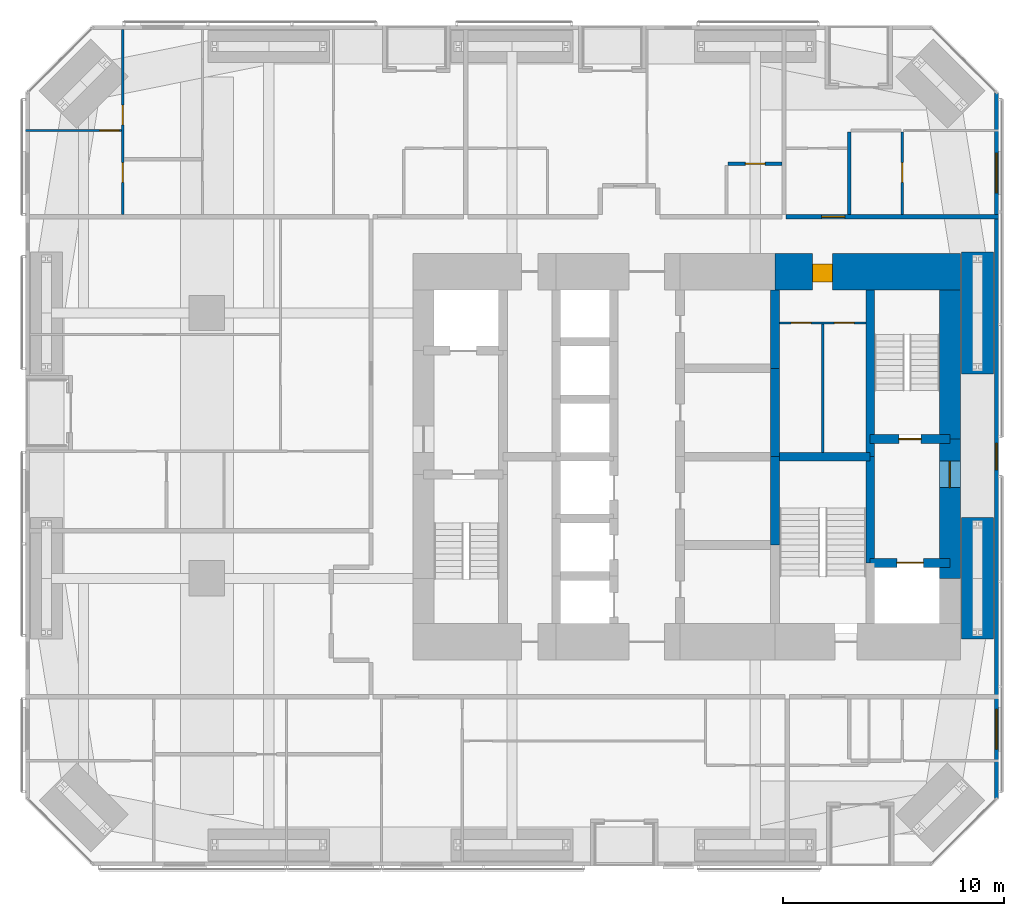
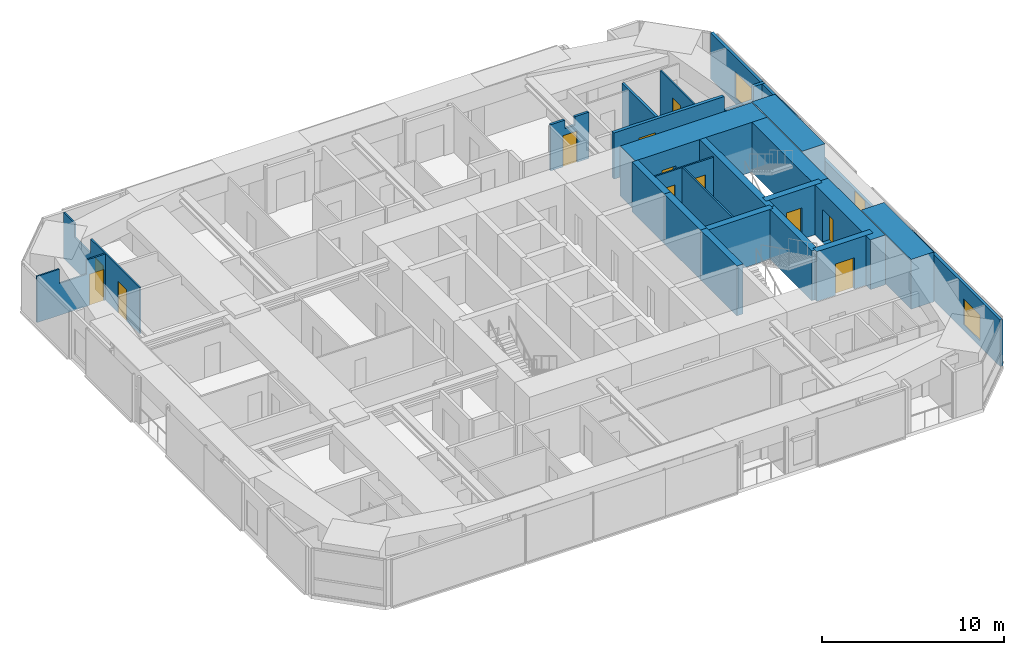
# One storey, part 21 of 24: 22 walls, 12 doors, 3 windows, 15 openings.
"""IFC4 building model written with IfcOpenShell, lengths in metres."""

from ifc_helpers import new_model, si_unit, direction, frame, frame_2d, origin, place, context, subcontext, project, spatial, polyline, rectangle, outline, extrude, material, layer, layer_set, constituent, constituent_set, type_object, element, fill, save


model = new_model("IFC4")

# Units and contexts
model_context = context("Model", 3, precision=1e-05, world=origin(), true_north=direction((0.0, 1.0)))
body_context = subcontext(model_context, "Body", "Model", "MODEL_VIEW")
ifc_project = project(units=[si_unit("LENGTHUNIT", "METRE"), si_unit("AREAUNIT", "SQUARE_METRE"), si_unit("VOLUMEUNIT", "CUBIC_METRE"), si_unit("PLANEANGLEUNIT", "RADIAN"), si_unit("MASSUNIT", "GRAM", prefix="KILO")], contexts=[model_context])

# Site, building, storey
site_placement = place(None, origin())
site = spatial("IfcSite", under=ifc_project, at=site_placement, CompositionType="ELEMENT")
building_placement = place(site_placement, origin())
building = spatial("IfcBuilding", under=site, at=building_placement, Name="Jalousie Tower", CompositionType="ELEMENT")
storey_placement = place(building_placement, frame((0.0, 0.0, 51.14990234375)))
storey = spatial("IfcBuildingStorey", under=building, at=storey_placement, Name="L13", CompositionType="ELEMENT", Elevation=51.14990234375)

# Wall, opening, door
ifc_material_1 = material(Name="Concrete block ASTM C90", Category="concrete")
ifc_constituent_1 = constituent(ifc_material_1, Name="Body")
ifc_material_2 = material(Name="Render")
ifc_constituent_2 = constituent(ifc_material_2, Name="Finish")
ifc_constituent_set_1 = constituent_set(constituents=[ifc_constituent_1, ifc_constituent_2])
wall_type_1 = type_object("IfcWallType", Name="BATHROOM WALL 150", PredefinedType="PLUMBINGWALL", material=ifc_constituent_set_1)
wall_1_placement = place(storey_placement, frame((33.77490234375, 31.75, 0.0), z_axis=(0.0, 0.0, 1.0), x_axis=(1.0, 0.0, 0.0)))
wall_1 = element("IfcWall", 1, at=wall_1_placement, inside=storey, type_object=wall_type_1, Name="Bathroom Wall 150 L13", PredefinedType="PLUMBINGWALL", context=body_context, shape_type="SweptSolid", body=[
    extrude(outline(polyline([(0.0, 0.0), (2.425048828125, 0.0), (2.425048828125, 3.110107421875), (1.537353515625, 3.110107421875), (1.537353515625, 2.541015625), (0.91259765625, 2.541015625), (0.91259765625, 3.110107421875), (0.0, 3.110107421875), (0.0, 0.0)])), frame((0.0, 0.074951171875, 0.0), z_axis=(0.0, -1.0, 0.0), x_axis=(1.0, 0.0, 0.0)), (0.0, 0.0, 1.0), 0.14990234375),
])
opening_1_placement = place(wall_1_placement, frame((0.77490234375, 0.0, 0.0)))
opening_1 = element("IfcOpeningElement", 2, at=opening_1_placement, cuts=wall_1, Name="Opening D3", PredefinedType="OPENING", context=body_context, shape_type="SweptSolid", body=[
    extrude(rectangle(XDim=0.89990234375, YDim=2.10009765625, at=frame_2d((0.449951171875, 1.050048828125))), frame((0.0, 0.0849609375, 0.0), z_axis=(0.0, -1.0, 0.0), x_axis=(1.0, 0.0, 0.0)), (0.0, 0.0, 1.0), 0.169921875),
])
ifc_material_3 = material(Name="Timber door", Category="wood")
door_type_1 = type_object("IfcDoorType", Name="BATHROOM DOOR 900", OperationType="SINGLE_SWING_LEFT", PredefinedType="DOOR", material=ifc_material_3)
door_1_placement = place(opening_1_placement, frame((0.89990234375, 0.0, 0.0), z_axis=(0.0, 0.0, 1.0), x_axis=(-1.0, 0.0, 0.0)))
door_1 = element("IfcDoor", 3, at=door_1_placement, inside=storey, type_object=door_type_1, Name="Apartment 1304 bathroom door", OperationType="SINGLE_SWING_LEFT", OverallHeight=2.10009765625, OverallWidth=0.89990234375, PredefinedType="DOOR", context=body_context, shape_type="SweptSolid", body=[
    extrude(rectangle(XDim=0.89990234375, YDim=2.10009765625, at=frame_2d((0.449951171875, 1.050048828125))), frame((0.0, 0.02490234375, 0.0), z_axis=(0.0, -1.0, 0.0), x_axis=(1.0, 0.0, 0.0)), (0.0, 0.0, 1.0), 0.050048828125),
])
fill(opening_1, door_1)

# Wall
wall_2_placement = place(storey_placement, frame((39.25, 33.17822265625, 0.0), z_axis=(0.0, 0.0, 1.0), x_axis=(0.0, -1.0, 0.0)))
element("IfcWall", 4, at=wall_2_placement, inside=storey, type_object=wall_type_1, Name="Bathroom Wall 150 L13", PredefinedType="PLUMBINGWALL", context=body_context, shape_type="SweptSolid", body=[
    extrude(rectangle(XDim=3.728271484375, YDim=0.14990234375, at=frame_2d((1.8642578125, 0.0))), origin(), (0.0, 0.0, 1.0), 3.110107421875),
])

# Wall, opening, door
ifc_material_4 = material(Name="Concrete f'c 120 MPa", Category="concrete")
ifc_layer_1 = layer(ifc_material_4, 1.64990234375)
ifc_layer_set_1 = layer_set([ifc_layer_1], Name="Concrete f'c 120 MPa")
wall_type_2 = type_object("IfcWallType", Name="CORE WALL 1650", PredefinedType="SHEAR", material=ifc_layer_set_1)
wall_3_placement = place(storey_placement, frame((44.27490234375, 26.875, 0.0), z_axis=(0.0, 0.0, 1.0), x_axis=(-1.0, 0.0, 0.0)))
wall_3 = element("IfcWall", 5, at=wall_3_placement, inside=storey, type_object=wall_type_2, Name="Core wall NA L13", PredefinedType="SHEAR", context=body_context, shape_type="SweptSolid", body=[
    extrude(rectangle(XDim=8.375, YDim=1.64990234375, at=frame_2d((4.1875, 0.0))), origin(), (0.0, 0.0, 1.0), 3.35009765625),
])
opening_2_placement = place(wall_3_placement, frame((5.77490234375, 0.0, 0.0)))
opening_2 = element("IfcOpeningElement", 6, at=opening_2_placement, cuts=wall_3, Name="Opening D25", PredefinedType="OPENING", context=body_context, shape_type="SweptSolid", body=[
    extrude(rectangle(XDim=0.89990234375, YDim=2.10009765625, at=frame_2d((0.449951171875, 1.050048828125))), frame((0.0, 0.8349609375, 0.0), z_axis=(0.0, -1.0, 0.0), x_axis=(1.0, 0.0, 0.0)), (0.0, 0.0, 1.0), 1.669921875),
])
ifc_material_5 = material(Name="Steel fire door", Category="steel")
door_type_2 = type_object("IfcDoorType", Name="SERVICE LOBBY DOOR 900", OperationType="SINGLE_SWING_LEFT", PredefinedType="DOOR", material=ifc_material_5)
door_2_placement = place(opening_2_placement, origin())
door_2 = element("IfcDoor", 7, at=door_2_placement, inside=storey, type_object=door_type_2, Name="Service lobby door", OperationType="SINGLE_SWING_RIGHT", OverallHeight=2.10009765625, OverallWidth=0.89990234375, PredefinedType="DOOR", context=body_context, shape_type="SweptSolid", body=[
    extrude(rectangle(XDim=0.89990234375, YDim=2.10009765625, at=frame_2d((0.449951171875, 1.050048828125))), frame((0.0, 0.47021484375, 0.0), z_axis=(0.0, -1.0, 0.0), x_axis=(1.0, 0.0, 0.0)), (0.0, 0.0, 1.0), 0.800048828125),
])
fill(opening_2, door_2)

# Walls
ifc_material_6 = material(Name="Concrete f'c 120 MPa", Category="concrete")
ifc_layer_2 = layer(ifc_material_6, 0.39990234375)
ifc_layer_set_2 = layer_set([ifc_layer_2], Name="Concrete f'c 120 MPa")
wall_type_3 = type_object("IfcWallType", Name="CORE WALL 400", PredefinedType="SHEAR", material=ifc_layer_set_2)
for number, where, z_axis, x_axis, name in (
    (8, (35.89990234375, 14.5, 0.0), (0.0, 0.0, 1.0), (0.0, 1.0, 0.0), "Core wall X35.9B L13"),
    (9, (35.89990234375, 18.5, 0.0), (0.0, 0.0, 1.0), (0.0, 1.0, 0.0), "Core wall X35.9C L13"),
):
    element("IfcWall", number, at=place(storey_placement, frame(where, z_axis=z_axis, x_axis=x_axis)), inside=storey, type_object=wall_type_3, Name=name, PredefinedType="SHEAR", context=body_context, shape_type="SweptSolid", body=[
        extrude(rectangle(XDim=4.0, YDim=0.39990234375, at=frame_2d((2.0, 0.0))), origin(), (0.0, 0.0, 1.0), 3.35009765625),
    ])
wall_4_placement = place(storey_placement, frame((35.89990234375, 22.5, 0.0), z_axis=(0.0, 0.0, 1.0), x_axis=(0.0, 1.0, 0.0)))
element("IfcWall", 10, at=wall_4_placement, inside=storey, type_object=wall_type_3, Name="Core wall X35.9D L13", PredefinedType="SHEAR", context=body_context, shape_type="SweptSolid", body=[
    extrude(rectangle(XDim=3.550048828125, YDim=0.39990234375, at=frame_2d((1.77490234375, 0.0))), origin(), (0.0, 0.0, 1.0), 3.35009765625),
])
wall_5_placement = place(storey_placement, frame((40.199951171875, 13.699951171875, 0.0), z_axis=(0.0, 0.0, 1.0), x_axis=(0.0, 1.0, 0.0)))
element("IfcWall", 11, at=wall_5_placement, inside=storey, type_object=wall_type_3, Name="Core wall X40.2B L13", PredefinedType="SHEAR", context=body_context, shape_type="SweptSolid", body=[
    extrude(rectangle(XDim=4.800048828125, YDim=0.39990234375, at=frame_2d((2.39990234375, 0.0))), origin(), (0.0, 0.0, 1.0), 3.35009765625),
])
wall_6_placement = place(storey_placement, frame((40.199951171875, 18.5, 0.0), z_axis=(0.0, 0.0, 1.0), x_axis=(0.0, 1.0, 0.0)))
element("IfcWall", 12, at=wall_6_placement, inside=storey, type_object=wall_type_3, Name="Core wall X40.2C L13", PredefinedType="SHEAR", context=body_context, shape_type="SweptSolid", body=[
    extrude(rectangle(XDim=7.550048828125, YDim=0.39990234375, at=frame_2d((3.77490234375, 0.0))), origin(), (0.0, 0.0, 1.0), 3.35009765625),
])
wall_7_placement = place(storey_placement, frame((35.89990234375, 18.5, 0.0), z_axis=(0.0, 0.0, 1.0), x_axis=(1.0, 0.0, 0.0)))
element("IfcWall", 13, at=wall_7_placement, inside=storey, type_object=wall_type_3, Name="Core wall Y35.9-18.5 L13", PredefinedType="SHEAR", context=body_context, shape_type="SweptSolid", body=[
    extrude(rectangle(XDim=4.300048828125, YDim=0.39990234375, at=frame_2d((2.14990234375, 0.0))), origin(), (0.0, 0.0, 1.0), 3.35009765625),
])

# Wall, opening, door
wall_8_placement = place(storey_placement, frame((40.199951171875, 13.699951171875, 0.0), z_axis=(0.0, 0.0, 1.0), x_axis=(1.0, 0.0, 0.0)))
wall_8 = element("IfcWall", 14, at=wall_8_placement, inside=storey, type_object=wall_type_3, Name="Core wall Y40.2-13.7 L13", PredefinedType="SHEAR", context=body_context, shape_type="SweptSolid", body=[
    extrude(rectangle(XDim=3.60009765625, YDim=0.39990234375, at=frame_2d((1.800048828125, 0.0))), origin(), (0.0, 0.0, 1.0), 3.35009765625),
])
opening_3_placement = place(wall_8_placement, frame((1.199951171875, 0.0, 0.0)))
opening_3 = element("IfcOpeningElement", 15, at=opening_3_placement, cuts=wall_8, Name="Opening LD2", PredefinedType="OPENING", context=body_context, shape_type="SweptSolid", body=[
    extrude(rectangle(XDim=1.199951171875, YDim=2.10009765625, at=frame_2d((0.60009765625, 1.050048828125))), frame((0.0, 0.2099609375, 0.0), z_axis=(0.0, -1.0, 0.0), x_axis=(1.0, 0.0, 0.0)), (0.0, 0.0, 1.0), 0.419921875),
])
ifc_material_7 = material(Name="Steel lift landing door", Category="steel")
door_type_3 = type_object("IfcDoorType", Name="LIFT LANDING DOOR 1200", OperationType="SLIDING_TO_LEFT", PredefinedType="DOOR", material=ifc_material_7)
door_3_placement = place(opening_3_placement, origin())
door_3 = element("IfcDoor", 16, at=door_3_placement, inside=storey, type_object=door_type_3, Name="Lift F2 landing door", OperationType="SLIDING_TO_LEFT", OverallHeight=2.10009765625, OverallWidth=1.199951171875, PredefinedType="DOOR", context=body_context, shape_type="SweptSolid", body=[
    extrude(rectangle(XDim=1.199951171875, YDim=2.10009765625, at=frame_2d((0.60009765625, 1.050048828125))), frame((0.0, 0.02490234375, 0.0), z_axis=(0.0, -1.0, 0.0), x_axis=(1.0, 0.0, 0.0)), (0.0, 0.0, 1.0), 0.050048828125),
])
fill(opening_3, door_3)

wall_9_placement = place(storey_placement, frame((40.199951171875, 19.300048828125, 0.0), z_axis=(0.0, 0.0, 1.0), x_axis=(1.0, 0.0, 0.0)))
wall_9 = element("IfcWall", 17, at=wall_9_placement, inside=storey, type_object=wall_type_3, Name="Core wall Y40.2-19.3 L13", PredefinedType="SHEAR", context=body_context, shape_type="SweptSolid", body=[
    extrude(rectangle(XDim=3.60009765625, YDim=0.39990234375, at=frame_2d((1.800048828125, 0.0))), origin(), (0.0, 0.0, 1.0), 3.35009765625),
])
opening_4_placement = place(wall_9_placement, frame((1.300048828125, 0.0, 0.0)))
opening_4 = element("IfcOpeningElement", 18, at=opening_4_placement, cuts=wall_9, Name="Opening D10", PredefinedType="OPENING", context=body_context, shape_type="SweptSolid", body=[
    extrude(rectangle(XDim=1.0, YDim=2.10009765625, at=frame_2d((0.5, 1.050048828125))), frame((0.0, 0.2099609375, 0.0), z_axis=(0.0, -1.0, 0.0), x_axis=(1.0, 0.0, 0.0)), (0.0, 0.0, 1.0), 0.419921875),
])
ifc_material_8 = material(Name="Steel fire door", Category="steel")
door_type_4 = type_object("IfcDoorType", Name="STAIR DOOR 1000", OperationType="SINGLE_SWING_LEFT", PredefinedType="DOOR", material=ifc_material_8)
door_4_placement = place(opening_4_placement, origin())
door_4 = element("IfcDoor", 19, at=door_4_placement, inside=storey, type_object=door_type_4, Name="Exit stair B door", OperationType="SINGLE_SWING_RIGHT", OverallHeight=2.10009765625, OverallWidth=1.0, PredefinedType="DOOR", context=body_context, shape_type="SweptSolid", body=[
    extrude(rectangle(XDim=1.0, YDim=2.10009765625, at=frame_2d((0.5, 1.050048828125))), frame((0.0, 0.02490234375, 0.0), z_axis=(0.0, -1.0, 0.0), x_axis=(1.0, 0.0, 0.0)), (0.0, 0.0, 1.0), 0.050048828125),
])
fill(opening_4, door_4)

ifc_material_9 = material(Name="Concrete f'c 120 MPa", Category="concrete")
ifc_layer_3 = layer(ifc_material_9, 0.949951171875)
ifc_layer_set_3 = layer_set([ifc_layer_3], Name="Concrete f'c 120 MPa")
wall_type_4 = type_object("IfcWallType", Name="CORE WALL 950", PredefinedType="SHEAR", material=ifc_layer_set_3)
wall_10_placement = place(storey_placement, frame((43.800048828125, 13.0, 0.0), z_axis=(0.0, 0.0, 1.0), x_axis=(0.0, 1.0, 0.0)))
wall_10 = element("IfcWall", 20, at=wall_10_placement, inside=storey, type_object=wall_type_4, Name="Core wall EB L13", PredefinedType="SHEAR", context=body_context, shape_type="SweptSolid", body=[
    extrude(rectangle(XDim=6.300048828125, YDim=0.949951171875, at=frame_2d((3.14990234375, 0.0))), origin(), (0.0, 0.0, 1.0), 3.35009765625),
])
opening_5_placement = place(wall_10_placement, frame((4.10009765625, 0.0, 0.0)))
opening_5 = element("IfcOpeningElement", 21, at=opening_5_placement, cuts=wall_10, Name="Opening D11", PredefinedType="OPENING", context=body_context, shape_type="SweptSolid", body=[
    extrude(rectangle(XDim=1.199951171875, YDim=2.199951171875, at=frame_2d((0.60009765625, 1.10009765625))), frame((0.0, 0.48486328125, 0.0), z_axis=(0.0, -1.0, 0.0), x_axis=(1.0, 0.0, 0.0)), (0.0, 0.0, 1.0), 0.969970703125),
])
ifc_material_10 = material(Name="Steel fire door", Category="steel")
door_type_5 = type_object("IfcDoorType", Name="FIRE DOOR 1200", OperationType="SINGLE_SWING_LEFT", PredefinedType="DOOR", material=ifc_material_10)
door_5_placement = place(opening_5_placement, origin())
door_5 = element("IfcDoor", 22, at=door_5_placement, inside=storey, type_object=door_type_5, Name="Fire-fighting lobby B door", OperationType="SINGLE_SWING_RIGHT", OverallHeight=2.199951171875, OverallWidth=1.199951171875, PredefinedType="DOOR", context=body_context, shape_type="SweptSolid", body=[
    extrude(rectangle(XDim=1.199951171875, YDim=2.199951171875, at=frame_2d((0.60009765625, 1.10009765625))), frame((0.0, 0.02490234375, 0.0), z_axis=(0.0, -1.0, 0.0), x_axis=(1.0, 0.0, 0.0)), (0.0, 0.0, 1.0), 0.050048828125),
])
fill(opening_5, door_5)

# Wall
wall_11_placement = place(storey_placement, frame((43.800048828125, 19.300048828125, 0.0), z_axis=(0.0, 0.0, 1.0), x_axis=(0.0, 1.0, 0.0)))
element("IfcWall", 23, at=wall_11_placement, inside=storey, type_object=wall_type_4, Name="Core wall EC L13", PredefinedType="SHEAR", context=body_context, shape_type="SweptSolid", body=[
    extrude(rectangle(XDim=6.75, YDim=0.949951171875, at=frame_2d((3.375, 0.0))), origin(), (0.0, 0.0, 1.0), 3.35009765625),
])

# Wall, opening, door
ifc_material_11 = material(Name="Concrete block ASTM C90", Category="concrete")
ifc_constituent_3 = constituent(ifc_material_11, Name="Body")
ifc_material_12 = material(Name="Render")
ifc_constituent_4 = constituent(ifc_material_12, Name="Finish")
ifc_constituent_set_2 = constituent_set(constituents=[ifc_constituent_3, ifc_constituent_4])
wall_type_5 = type_object("IfcWallType", Name="CORRIDOR WALL 200", PredefinedType="PARTITIONING", material=ifc_constituent_set_2)
wall_12_placement = place(storey_placement, frame((36.39990234375, 29.35009765625, 0.0), z_axis=(0.0, 0.0, 1.0), x_axis=(1.0, 0.0, 0.0)))
wall_12 = element("IfcWall", 24, at=wall_12_placement, inside=storey, type_object=wall_type_5, Name="Corridor Wall 200 L13", PredefinedType="PARTITIONING", context=body_context, shape_type="SweptSolid", body=[
    extrude(outline(polyline([(0.0, 0.0), (9.60009765625, 0.0), (9.60009765625, 3.110107421875), (8.866455078125, 3.110107421875), (8.866455078125, 2.150146484375), (7.022705078125, 2.150146484375), (7.022705078125, 3.110107421875), (0.0, 3.110107421875), (0.0, 0.0)])), frame((0.0, 0.10009765625, 0.0), z_axis=(0.0, -1.0, 0.0), x_axis=(1.0, 0.0, 0.0)), (0.0, 0.0, 1.0), 0.199951171875),
])
opening_6_placement = place(wall_12_placement, frame((1.60009765625, 0.0, 0.0)))
opening_6 = element("IfcOpeningElement", 25, at=opening_6_placement, cuts=wall_12, Name="Opening D1", PredefinedType="OPENING", context=body_context, shape_type="SweptSolid", body=[
    extrude(rectangle(XDim=1.050048828125, YDim=2.199951171875, at=frame_2d((0.52490234375, 1.10009765625))), frame((0.0, 0.10986328125, 0.0), z_axis=(0.0, -1.0, 0.0), x_axis=(1.0, 0.0, 0.0)), (0.0, 0.0, 1.0), 0.219970703125),
])
ifc_material_13 = material(Name="Timber fire door", Category="wood")
door_type_6 = type_object("IfcDoorType", Name="APARTMENT ENTRANCE DOOR 1050", OperationType="SINGLE_SWING_LEFT", PredefinedType="DOOR", material=ifc_material_13)
door_6_placement = place(opening_6_placement, origin())
door_6 = element("IfcDoor", 26, at=door_6_placement, inside=storey, type_object=door_type_6, Name="Apartment 1305 entrance", OperationType="SINGLE_SWING_RIGHT", OverallHeight=2.199951171875, OverallWidth=1.050048828125, PredefinedType="DOOR", context=body_context, shape_type="SweptSolid", body=[
    extrude(rectangle(XDim=1.050048828125, YDim=2.199951171875, at=frame_2d((0.52490234375, 1.10009765625))), frame((0.0, 0.02490234375, 0.0), z_axis=(0.0, -1.0, 0.0), x_axis=(1.0, 0.0, 0.0)), (0.0, 0.0, 1.0), 0.050048828125),
])
fill(opening_6, door_6)

# Wall, openings, windows
ifc_material_14 = material(Name="Concrete f'c 40 MPa", Category="concrete")
ifc_constituent_5 = constituent(ifc_material_14, Name="Body")
ifc_material_15 = material(Name="Render, pastel coral")
ifc_constituent_6 = constituent(ifc_material_15, Name="Finish")
ifc_constituent_set_3 = constituent_set(constituents=[ifc_constituent_5, ifc_constituent_6])
wall_type_6 = type_object("IfcWallType", Name="EXTERNAL WALL 175 CORAL RENDER", PredefinedType="SOLIDWALL", material=ifc_constituent_set_3)
wall_13_placement = place(storey_placement, frame((45.91259765625, 3.05126953125, 0.0), z_axis=(0.0, 0.0, 1.0), x_axis=(0.0, 1.0, 0.0)))
wall_13 = element("IfcWall", 27, at=wall_13_placement, inside=storey, type_object=wall_type_6, Name="External Wall 175 Coral Render L13", PredefinedType="SOLIDWALL", context=body_context, shape_type="SweptSolid", body=[
    extrude(outline(polyline([(0.0, 0.0), (31.8974609375, 0.0), (31.8974609375, 3.110107421875), (22.167236328125, 3.110107421875), (22.167236328125, 2.150146484375), (22.074462890625, 2.150146484375), (22.074462890625, 3.110107421875), (21.94873046875, 3.110107421875), (21.94873046875, 2.150146484375), (9.94873046875, 2.150146484375), (9.94873046875, 3.110107421875), (9.822998046875, 3.110107421875), (9.822998046875, 2.150146484375), (9.72998046875, 2.150146484375), (9.72998046875, 3.110107421875), (0.0, 3.110107421875), (0.0, 0.0)])), frame((0.0, 0.08740234375, 0.0), z_axis=(0.0, -1.0, 0.0), x_axis=(1.0, 0.0, 0.0)), (0.0, 0.0, 1.0), 0.175048828125),
])
opening_7_placement = place(wall_13_placement, frame((2.22216796875, 0.0, 0.39990234375)))
opening_7 = element("IfcOpeningElement", 28, at=opening_7_placement, cuts=wall_13, Name="Opening W-BED170", PredefinedType="OPENING", context=body_context, shape_type="SweptSolid", body=[
    extrude(rectangle(XDim=1.800048828125, YDim=1.699951171875, at=frame_2d((0.89990234375, 0.85009765625))), frame((0.0, 0.097412109375, 0.0), z_axis=(0.0, -1.0, 0.0), x_axis=(1.0, 0.0, 0.0)), (0.0, 0.0, 1.0), 0.195068359375),
])
opening_8_placement = place(wall_13_placement, frame((14.8486328125, 0.0, 0.39990234375)))
opening_8 = element("IfcOpeningElement", 29, at=opening_8_placement, cuts=wall_13, Name="Opening W-COR170", PredefinedType="OPENING", context=body_context, shape_type="SweptSolid", body=[
    extrude(rectangle(XDim=1.199951171875, YDim=1.699951171875, at=frame_2d((0.60009765625, 0.85009765625))), frame((0.0, 0.097412109375, 0.0), z_axis=(0.0, -1.0, 0.0), x_axis=(1.0, 0.0, 0.0)), (0.0, 0.0, 1.0), 0.195068359375),
])
opening_9_placement = place(wall_13_placement, frame((27.37548828125, 0.0, 0.39990234375)))
opening_9 = element("IfcOpeningElement", 30, at=opening_9_placement, cuts=wall_13, Name="Opening W-BED170", PredefinedType="OPENING", context=body_context, shape_type="SweptSolid", body=[
    extrude(rectangle(XDim=1.800048828125, YDim=1.699951171875, at=frame_2d((0.89990234375, 0.85009765625))), frame((0.0, 0.097412109375, 0.0), z_axis=(0.0, -1.0, 0.0), x_axis=(1.0, 0.0, 0.0)), (0.0, 0.0, 1.0), 0.195068359375),
])
ifc_material_16 = material(Name="Aluminium frame, impact-rated glazing", Category="aluminium")
window_type_1 = type_object("IfcWindowType", Name="WINDOW BED 1800x1700", PartitioningType="SINGLE_PANEL", PredefinedType="WINDOW", material=ifc_material_16)
window_1_placement = place(opening_7_placement, origin())
window_1 = element("IfcWindow", 31, at=window_1_placement, inside=storey, type_object=window_type_1, Name="Apartment 1302 bedroom 1 window", OverallHeight=1.699951171875, OverallWidth=1.800048828125, PartitioningType="SINGLE_PANEL", PredefinedType="WINDOW", context=body_context, shape_type="SweptSolid", body=[
    extrude(rectangle(XDim=1.800048828125, YDim=1.699951171875, at=frame_2d((0.89990234375, 0.85009765625))), frame((0.0, 0.030029296875, 0.0), z_axis=(0.0, -1.0, 0.0), x_axis=(1.0, 0.0, 0.0)), (0.0, 0.0, 1.0), 0.06005859375),
])
fill(opening_7, window_1)
window_2_placement = place(opening_9_placement, origin())
window_2 = element("IfcWindow", 32, at=window_2_placement, inside=storey, type_object=window_type_1, Name="Apartment 1305 bedroom 1 window", OverallHeight=1.699951171875, OverallWidth=1.800048828125, PartitioningType="SINGLE_PANEL", PredefinedType="WINDOW", context=body_context, shape_type="SweptSolid", body=[
    extrude(rectangle(XDim=1.800048828125, YDim=1.699951171875, at=frame_2d((0.89990234375, 0.85009765625))), frame((0.0, 0.030029296875, 0.0), z_axis=(0.0, -1.0, 0.0), x_axis=(1.0, 0.0, 0.0)), (0.0, 0.0, 1.0), 0.06005859375),
])
fill(opening_9, window_2)
ifc_material_17 = material(Name="Aluminium frame, impact-rated glazing", Category="aluminium")
window_type_2 = type_object("IfcWindowType", Name="WINDOW COR 1200x1700", PartitioningType="SINGLE_PANEL", PredefinedType="WINDOW", material=ifc_material_17)
window_3_placement = place(opening_8_placement, origin())
window_3 = element("IfcWindow", 33, at=window_3_placement, inside=storey, type_object=window_type_2, Name="Corridor window", OverallHeight=1.699951171875, OverallWidth=1.199951171875, PartitioningType="SINGLE_PANEL", PredefinedType="WINDOW", context=body_context, shape_type="SweptSolid", body=[
    extrude(rectangle(XDim=1.199951171875, YDim=1.699951171875, at=frame_2d((0.60009765625, 0.85009765625))), frame((0.0, 0.030029296875, 0.0), z_axis=(0.0, -1.0, 0.0), x_axis=(1.0, 0.0, 0.0)), (0.0, 0.0, 1.0), 0.06005859375),
])
fill(opening_8, window_3)

# Wall, openings, doors
ifc_material_18 = material(Name="Gypsum board", Category="gypsum")
ifc_constituent_7 = constituent(ifc_material_18, Name="Body")
ifc_material_19 = material(Name="Light-gauge steel studs ASTM A653 SS Grade 33", Category="steel")
ifc_constituent_8 = constituent(ifc_material_19, Name="Framing")
ifc_constituent_set_4 = constituent_set(constituents=[ifc_constituent_7, ifc_constituent_8])
wall_type_7 = type_object("IfcWallType", Name="PARTITION 100", PredefinedType="PARTITIONING", material=ifc_constituent_set_4)
wall_14_placement = place(storey_placement, frame((6.39990234375, 37.824951171875, 0.0), z_axis=(0.0, 0.0, 1.0), x_axis=(0.0, -1.0, 0.0)))
wall_14 = element("IfcWall", 34, at=wall_14_placement, inside=storey, type_object=wall_type_7, Name="Partition 100 L13", PredefinedType="PARTITIONING", context=body_context, shape_type="SweptSolid", body=[
    extrude(outline(polyline([(0.0, 0.0), (8.375, 0.0), (8.375, 3.110107421875), (2.978271484375, 3.110107421875), (2.978271484375, 2.150146484375), (1.223876953125, 2.150146484375), (1.223876953125, 3.110107421875), (0.0, 3.110107421875), (0.0, 0.0)])), frame((0.0, 0.050048828125, 0.0), z_axis=(0.0, -1.0, 0.0), x_axis=(1.0, 0.0, 0.0)), (0.0, 0.0, 1.0), 0.10009765625),
])
opening_10_placement = place(wall_14_placement, frame((3.421630859375, 0.0, 0.0)))
opening_10 = element("IfcOpeningElement", 35, at=opening_10_placement, cuts=wall_14, Name="Opening D2", PredefinedType="OPENING", context=body_context, shape_type="SweptSolid", body=[
    extrude(rectangle(XDim=0.89990234375, YDim=2.10009765625, at=frame_2d((0.449951171875, 1.050048828125))), frame((0.0, 0.06005859375, 0.0), z_axis=(0.0, -1.0, 0.0), x_axis=(1.0, 0.0, 0.0)), (0.0, 0.0, 1.0), 0.1201171875),
])
opening_11_placement = place(wall_14_placement, frame((6.023193359375, 0.0, 0.0)))
opening_11 = element("IfcOpeningElement", 36, at=opening_11_placement, cuts=wall_14, Name="Opening D3", PredefinedType="OPENING", context=body_context, shape_type="SweptSolid", body=[
    extrude(rectangle(XDim=0.89990234375, YDim=2.10009765625, at=frame_2d((0.449951171875, 1.050048828125))), frame((0.0, 0.06005859375, 0.0), z_axis=(0.0, -1.0, 0.0), x_axis=(1.0, 0.0, 0.0)), (0.0, 0.0, 1.0), 0.1201171875),
])
door_7_placement = place(opening_11_placement, origin())
door_7 = element("IfcDoor", 37, at=door_7_placement, inside=storey, type_object=door_type_1, Name="Apartment 1303 bedroom 1 bathroom door", OperationType="SINGLE_SWING_LEFT", OverallHeight=2.10009765625, OverallWidth=0.89990234375, PredefinedType="DOOR", context=body_context, shape_type="SweptSolid", body=[
    extrude(rectangle(XDim=0.89990234375, YDim=2.10009765625, at=frame_2d((0.449951171875, 1.050048828125))), frame((0.0, 0.02490234375, 0.0), z_axis=(0.0, -1.0, 0.0), x_axis=(1.0, 0.0, 0.0)), (0.0, 0.0, 1.0), 0.050048828125),
])
fill(opening_11, door_7)
ifc_material_20 = material(Name="Timber door", Category="wood")
door_type_7 = type_object("IfcDoorType", Name="BEDROOM DOOR 900", OperationType="SINGLE_SWING_LEFT", PredefinedType="DOOR", material=ifc_material_20)
door_8_placement = place(opening_10_placement, origin())
door_8 = element("IfcDoor", 38, at=door_8_placement, inside=storey, type_object=door_type_7, Name="Apartment 1303 bedroom 1 door", OperationType="SINGLE_SWING_RIGHT", OverallHeight=2.10009765625, OverallWidth=0.89990234375, PredefinedType="DOOR", context=body_context, shape_type="SweptSolid", body=[
    extrude(rectangle(XDim=0.89990234375, YDim=2.10009765625, at=frame_2d((0.449951171875, 1.050048828125))), frame((0.0, 0.02490234375, 0.0), z_axis=(0.0, -1.0, 0.0), x_axis=(1.0, 0.0, 0.0)), (0.0, 0.0, 1.0), 0.050048828125),
])
fill(opening_10, door_8)

# Wall, opening, door
wall_15_placement = place(storey_placement, frame((2.0, 33.25341796875, 0.0), z_axis=(0.0, 0.0, 1.0), x_axis=(1.0, 0.0, 0.0)))
wall_15 = element("IfcWall", 39, at=wall_15_placement, inside=storey, type_object=wall_type_7, Name="Partition 100 L13", PredefinedType="PARTITIONING", context=body_context, shape_type="SweptSolid", body=[
    extrude(outline(polyline([(0.0, 0.0), (4.35009765625, 0.0), (4.35009765625, 3.110107421875), (3.15966796875, 3.110107421875), (3.15966796875, 2.150146484375), (1.4169921875, 2.150146484375), (1.4169921875, 3.110107421875), (0.0, 3.110107421875), (0.0, 0.0)])), frame((0.0, 0.050048828125, 0.0), z_axis=(0.0, -1.0, 0.0), x_axis=(1.0, 0.0, 0.0)), (0.0, 0.0, 1.0), 0.10009765625),
])
opening_12_placement = place(wall_15_placement, frame((3.35009765625, 0.0, 0.0)))
opening_12 = element("IfcOpeningElement", 40, at=opening_12_placement, cuts=wall_15, Name="Opening D7", PredefinedType="OPENING", context=body_context, shape_type="SweptSolid", body=[
    extrude(rectangle(XDim=0.89990234375, YDim=2.10009765625, at=frame_2d((0.449951171875, 1.050048828125))), frame((0.0, 0.06005859375, 0.0), z_axis=(0.0, -1.0, 0.0), x_axis=(1.0, 0.0, 0.0)), (0.0, 0.0, 1.0), 0.1201171875),
])
ifc_material_21 = material(Name="Timber door", Category="wood")
door_type_8 = type_object("IfcDoorType", Name="INTERNAL DOOR 900", OperationType="SINGLE_SWING_LEFT", PredefinedType="DOOR", material=ifc_material_21)
door_9_placement = place(opening_12_placement, frame((0.89990234375, 0.0, 0.0), z_axis=(0.0, 0.0, 1.0), x_axis=(-1.0, 0.0, 0.0)))
door_9 = element("IfcDoor", 41, at=door_9_placement, inside=storey, type_object=door_type_8, Name="Apartment 1303 bedroom 1 dressing hall door", OperationType="SINGLE_SWING_LEFT", OverallHeight=2.10009765625, OverallWidth=0.89990234375, PredefinedType="DOOR", context=body_context, shape_type="SweptSolid", body=[
    extrude(rectangle(XDim=0.89990234375, YDim=2.10009765625, at=frame_2d((0.449951171875, 1.050048828125))), frame((0.0, 0.02490234375, 0.0), z_axis=(0.0, -1.0, 0.0), x_axis=(1.0, 0.0, 0.0)), (0.0, 0.0, 1.0), 0.050048828125),
])
fill(opening_12, door_9)

wall_16_placement = place(storey_placement, frame((41.64990234375, 33.17822265625, 0.0), z_axis=(0.0, 0.0, 1.0), x_axis=(0.0, -1.0, 0.0)))
wall_16 = element("IfcWall", 42, at=wall_16_placement, inside=storey, type_object=wall_type_7, Name="Partition 100 L13", PredefinedType="PARTITIONING", context=body_context, shape_type="SweptSolid", body=[
    extrude(rectangle(XDim=3.728271484375, YDim=0.10009765625, at=frame_2d((1.8642578125, 0.0))), origin(), (0.0, 0.0, 1.0), 3.110107421875),
])
opening_13_placement = place(wall_16_placement, frame((1.376708984375, 0.0, 0.0)))
opening_13 = element("IfcOpeningElement", 43, at=opening_13_placement, cuts=wall_16, Name="Opening D3", PredefinedType="OPENING", context=body_context, shape_type="SweptSolid", body=[
    extrude(rectangle(XDim=0.89990234375, YDim=2.10009765625, at=frame_2d((0.449951171875, 1.050048828125))), frame((0.0, 0.06005859375, 0.0), z_axis=(0.0, -1.0, 0.0), x_axis=(1.0, 0.0, 0.0)), (0.0, 0.0, 1.0), 0.1201171875),
])
door_10_placement = place(opening_13_placement, frame((0.89990234375, 0.0, 0.0), z_axis=(0.0, 0.0, 1.0), x_axis=(-1.0, 0.0, 0.0)))
door_10 = element("IfcDoor", 44, at=door_10_placement, inside=storey, type_object=door_type_1, Name="Apartment 1305 bedroom 1 bathroom door", OperationType="SINGLE_SWING_RIGHT", OverallHeight=2.10009765625, OverallWidth=0.89990234375, PredefinedType="DOOR", context=body_context, shape_type="SweptSolid", body=[
    extrude(rectangle(XDim=0.89990234375, YDim=2.10009765625, at=frame_2d((0.449951171875, 1.050048828125))), frame((0.0, 0.02490234375, 0.0), z_axis=(0.0, -1.0, 0.0), x_axis=(1.0, 0.0, 0.0)), (0.0, 0.0, 1.0), 0.050048828125),
])
fill(opening_13, door_10)

# Wall, openings, doors
wall_17_placement = place(storey_placement, frame((36.10009765625, 24.550048828125, 0.0), z_axis=(0.0, 0.0, 1.0), x_axis=(1.0, 0.0, 0.0)))
wall_17 = element("IfcWall", 45, at=wall_17_placement, inside=storey, type_object=wall_type_7, Name="Partition 100 L13", PredefinedType="PARTITIONING", context=body_context, shape_type="SweptSolid", body=[
    extrude(rectangle(XDim=3.89990234375, YDim=0.10009765625, at=frame_2d((1.949951171875, 0.0))), origin(), (0.0, 0.0, 1.0), 3.110107421875),
])
opening_14_placement = place(wall_17_placement, frame((0.52490234375, 0.0, 0.0)))
opening_14 = element("IfcOpeningElement", 46, at=opening_14_placement, cuts=wall_17, Name="Opening D7", PredefinedType="OPENING", context=body_context, shape_type="SweptSolid", body=[
    extrude(rectangle(XDim=0.89990234375, YDim=2.10009765625, at=frame_2d((0.449951171875, 1.050048828125))), frame((0.0, 0.06005859375, 0.0), z_axis=(0.0, -1.0, 0.0), x_axis=(1.0, 0.0, 0.0)), (0.0, 0.0, 1.0), 0.1201171875),
])
opening_15_placement = place(wall_17_placement, frame((2.47509765625, 0.0, 0.0)))
opening_15 = element("IfcOpeningElement", 47, at=opening_15_placement, cuts=wall_17, Name="Opening D7", PredefinedType="OPENING", context=body_context, shape_type="SweptSolid", body=[
    extrude(rectangle(XDim=0.89990234375, YDim=2.10009765625, at=frame_2d((0.449951171875, 1.050048828125))), frame((0.0, 0.06005859375, 0.0), z_axis=(0.0, -1.0, 0.0), x_axis=(1.0, 0.0, 0.0)), (0.0, 0.0, 1.0), 0.1201171875),
])
door_11_placement = place(opening_14_placement, frame((0.89990234375, 0.0, 0.0), z_axis=(0.0, 0.0, 1.0), x_axis=(-1.0, 0.0, 0.0)))
door_11 = element("IfcDoor", 48, at=door_11_placement, inside=storey, type_object=door_type_8, Name="Cleaner's store door", OperationType="SINGLE_SWING_LEFT", OverallHeight=2.10009765625, OverallWidth=0.89990234375, PredefinedType="DOOR", context=body_context, shape_type="SweptSolid", body=[
    extrude(rectangle(XDim=0.89990234375, YDim=2.10009765625, at=frame_2d((0.449951171875, 1.050048828125))), frame((0.0, 0.02490234375, 0.0), z_axis=(0.0, -1.0, 0.0), x_axis=(1.0, 0.0, 0.0)), (0.0, 0.0, 1.0), 0.050048828125),
])
fill(opening_14, door_11)
door_12_placement = place(opening_15_placement, frame((0.89990234375, 0.0, 0.0), z_axis=(0.0, 0.0, 1.0), x_axis=(-1.0, 0.0, 0.0)))
door_12 = element("IfcDoor", 49, at=door_12_placement, inside=storey, type_object=door_type_8, Name="Linen store door", OperationType="SINGLE_SWING_RIGHT", OverallHeight=2.10009765625, OverallWidth=0.89990234375, PredefinedType="DOOR", context=body_context, shape_type="SweptSolid", body=[
    extrude(rectangle(XDim=0.89990234375, YDim=2.10009765625, at=frame_2d((0.449951171875, 1.050048828125))), frame((0.0, 0.02490234375, 0.0), z_axis=(0.0, -1.0, 0.0), x_axis=(1.0, 0.0, 0.0)), (0.0, 0.0, 1.0), 0.050048828125),
])
fill(opening_15, door_12)

# Walls
wall_18_placement = place(storey_placement, frame((38.050048828125, 18.699951171875, 0.0), z_axis=(0.0, 0.0, 1.0), x_axis=(0.0, 1.0, 0.0)))
element("IfcWall", 50, at=wall_18_placement, inside=storey, type_object=wall_type_7, Name="Partition 100 L13", PredefinedType="PARTITIONING", context=body_context, shape_type="SweptSolid", body=[
    extrude(rectangle(XDim=5.800048828125, YDim=0.10009765625, at=frame_2d((2.89990234375, 0.0))), origin(), (0.0, 0.0, 1.0), 3.110107421875),
])
ifc_material_22 = material(Name="Concrete f'c 120 MPa", Category="concrete")
ifc_layer_4 = layer(ifc_material_22, 1.449951171875)
ifc_layer_set_4 = layer_set([ifc_layer_4], Name="Concrete f'c 120 MPa")
wall_type_8 = type_object("IfcWallType", Name="RC WALL PIER 1450", PredefinedType="SHEAR", material=ifc_layer_set_4)
for number, where, z_axis, x_axis, name in (
    (51, (45.050048828125, 10.25, 0.0), (0.0, 0.0, 1.0), (0.0, 1.0, 0.0), "Wall pier 06 L13"),
    (52, (45.050048828125, 22.25, 0.0), (0.0, 0.0, 1.0), (0.0, 1.0, 0.0), "Wall pier 07 L13"),
):
    element("IfcWall", number, at=place(storey_placement, frame(where, z_axis=z_axis, x_axis=x_axis)), inside=storey, type_object=wall_type_8, Name=name, PredefinedType="SHEAR", context=body_context, shape_type="SweptSolid", body=[
        extrude(rectangle(XDim=5.5, YDim=1.449951171875, at=frame_2d((2.75, 0.0))), origin(), (0.0, 0.0, 1.0), 3.35009765625),
    ])

save(model, "model.ifc")
